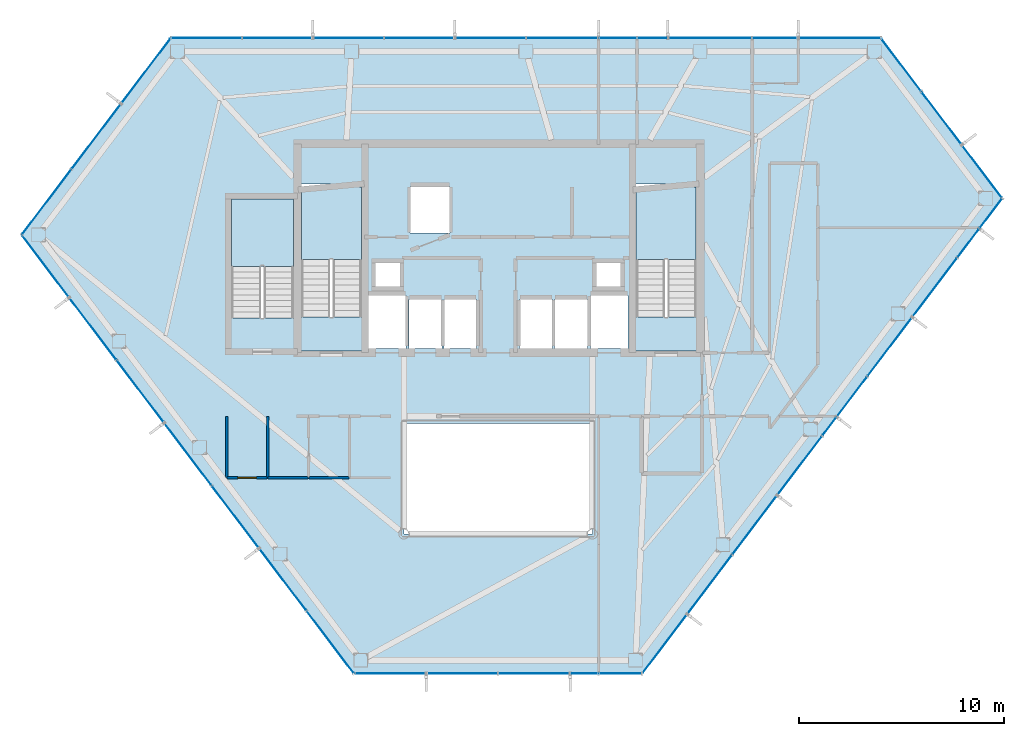
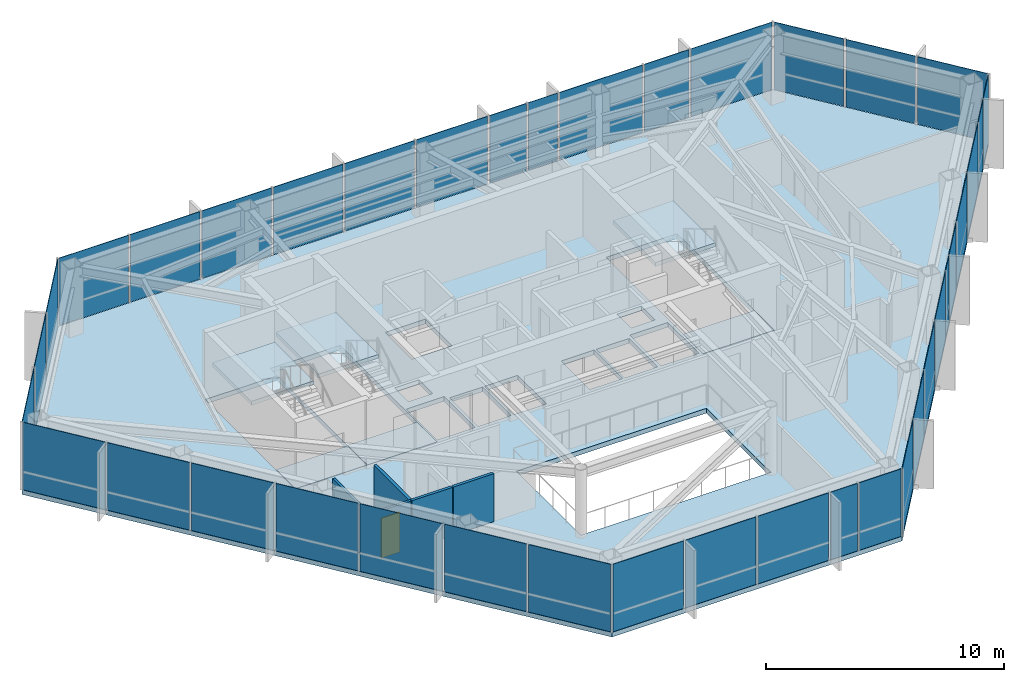
# One storey, part 24 of 28: 39 plates, 7 slabs, 5 walls, 1 door, 1 opening, 9 elements without a shape of their own.
"""IFC4 building model written with IfcOpenShell, lengths in metres."""

from ifc_helpers import new_model, si_unit, direction, frame, frame_2d, origin, origin_2d, place, context, subcontext, project, spatial, polyline, rectangle, outline, extrude, material, layer, layer_set, type_object, element, fill, aggregate, save


model = new_model("IFC4")

# Units and contexts
model_context = context("Model", 3, precision=1e-05, world=origin(), true_north=direction((0.0, 1.0)))
body_context = subcontext(model_context, "Body", "Model", "MODEL_VIEW")
ifc_project = project(units=[si_unit("LENGTHUNIT", "METRE"), si_unit("AREAUNIT", "SQUARE_METRE"), si_unit("VOLUMEUNIT", "CUBIC_METRE"), si_unit("PLANEANGLEUNIT", "RADIAN"), si_unit("MASSUNIT", "GRAM", prefix="KILO")], contexts=[model_context])

# Site, building, storey
site_placement = place(None, origin())
site = spatial("IfcSite", under=ifc_project, at=site_placement, CompositionType="ELEMENT")
building_placement = place(site_placement, origin())
building = spatial("IfcBuilding", under=site, at=building_placement, Name="Zarrinselat Tower", CompositionType="ELEMENT")
storey_placement = place(building_placement, frame((0.0, 0.0, 187.0)))
storey = spatial("IfcBuildingStorey", under=building, at=storey_placement, Name="L46", CompositionType="ELEMENT", Elevation=187.0)

# Curtain wall, plates
ifc_material_1 = material(Name="Extruded Aluminium Alloy EN AW-6063 T6", Category="aluminium")
ifc_layer_1 = layer(ifc_material_1, 0.175048828125)
ifc_layer_set_1 = layer_set([ifc_layer_1], Name="Extruded Aluminium Alloy EN AW-6063 T6")
curtain_wall_type = type_object("IfcCurtainWallType", Name="CWS-HTL", PredefinedType="NOTDEFINED", material=ifc_layer_set_1)
curtain_wall_1_placement = place(storey_placement, origin())
curtain_wall_1 = element("IfcCurtainWall", 1, at=curtain_wall_1_placement, inside=storey, type_object=curtain_wall_type, Name="L46 Unitised Curtain Wall CW-L46-E01", PredefinedType="NOTDEFINED")
ifc_material_2 = material(Name="Double Low-E Laminated Solar Glass", Category="glass")
ifc_layer_2 = layer(ifc_material_2, 0.028076171875)
ifc_layer_set_2 = layer_set([ifc_layer_2], Name="Double Low-E Laminated Solar Glass")
plate_type = type_object("IfcPlateType", Name="PLT-CW-GL28", PredefinedType="CURTAIN_PANEL", material=ifc_layer_set_2)
plate_1_placement = place(storey_placement, frame((55.06640625, 48.605712890625, 0.02001953125), z_axis=(0.0, 0.0, 1.0), x_axis=(-1.0, 0.0, 0.0)))
plate_1 = element("IfcPlate", 2, at=plate_1_placement, type_object=plate_type, Name="CW-L46-E01 Vision Glass Panel 1", PredefinedType="CURTAIN_PANEL", context=body_context, shape_type="SweptSolid", body=[
    extrude(rectangle(XDim=3.93310546875, YDim=0.028076171875, at=origin_2d()), origin(), (0.0, 0.0, 1.0), 3.4599609375),
])
plate_2_placement = place(storey_placement, frame((51.925048828125, 48.605712890625, 0.02001953125), z_axis=(0.0, 0.0, 1.0), x_axis=(-1.0, 0.0, 0.0)))
plate_2 = element("IfcPlate", 3, at=plate_2_placement, type_object=plate_type, Name="CW-L46-E01 Vision Glass Panel 2", PredefinedType="CURTAIN_PANEL", context=body_context, shape_type="SweptSolid", body=[
    extrude(rectangle(XDim=2.14990234375, YDim=0.028076171875, at=origin_2d()), origin(), (0.0, 0.0, 1.0), 3.4599609375),
])
plate_3_placement = place(storey_placement, frame((48.7421875, 48.605712890625, 0.02001953125), z_axis=(0.0, 0.0, 1.0), x_axis=(-1.0, 0.0, 0.0)))
plate_3 = element("IfcPlate", 4, at=plate_3_placement, type_object=plate_type, Name="CW-L46-E01 Vision Glass Panel 3", PredefinedType="CURTAIN_PANEL", context=body_context, shape_type="SweptSolid", body=[
    extrude(rectangle(XDim=4.015380859375, YDim=0.028076171875, at=origin_2d()), origin(), (0.0, 0.0, 1.0), 3.4599609375),
])
plate_4_placement = place(storey_placement, frame((45.9296875, 48.605712890625, 0.02001953125), z_axis=(0.0, 0.0, 1.0), x_axis=(-1.0, 0.0, 0.0)))
plate_4 = element("IfcPlate", 5, at=plate_4_placement, type_object=plate_type, Name="CW-L46-E01 Vision Glass Panel 4", PredefinedType="CURTAIN_PANEL", context=body_context, shape_type="SweptSolid", body=[
    extrude(rectangle(XDim=1.40966796875, YDim=0.028076171875, at=origin_2d()), origin(), (0.0, 0.0, 1.0), 3.4599609375),
])
plate_5_placement = place(storey_placement, frame((44.237548828125, 48.605712890625, 0.02001953125), z_axis=(0.0, 0.0, 1.0), x_axis=(-1.0, 0.0, 0.0)))
plate_5 = element("IfcPlate", 6, at=plate_5_placement, type_object=plate_type, Name="CW-L46-E01 Vision Glass Panel 5", PredefinedType="CURTAIN_PANEL", context=body_context, shape_type="SweptSolid", body=[
    extrude(rectangle(XDim=1.77490234375, YDim=0.028076171875, at=origin_2d()), origin(), (0.0, 0.0, 1.0), 3.4599609375),
])
plate_6_placement = place(storey_placement, frame((41.526123046875, 48.605712890625, 0.02001953125), z_axis=(0.0, 0.0, 1.0), x_axis=(-1.0, 0.0, 0.0)))
plate_6 = element("IfcPlate", 7, at=plate_6_placement, type_object=plate_type, Name="CW-L46-E01 Vision Glass Panel 6", PredefinedType="CURTAIN_PANEL", context=body_context, shape_type="SweptSolid", body=[
    extrude(rectangle(XDim=3.447509765625, YDim=0.028076171875, at=origin_2d()), origin(), (0.0, 0.0, 1.0), 3.4599609375),
])
plate_7_placement = place(storey_placement, frame((38.019287109375, 48.605712890625, 0.02001953125), z_axis=(0.0, 0.0, 1.0), x_axis=(-1.0, 0.0, 0.0)))
plate_7 = element("IfcPlate", 8, at=plate_7_placement, type_object=plate_type, Name="CW-L46-E01 Vision Glass Panel 7", PredefinedType="CURTAIN_PANEL", context=body_context, shape_type="SweptSolid", body=[
    extrude(rectangle(XDim=3.3662109375, YDim=0.028076171875, at=origin_2d()), origin(), (0.0, 0.0, 1.0), 3.4599609375),
])
plate_8_placement = place(storey_placement, frame((34.55322265625, 48.605712890625, 0.02001953125), z_axis=(0.0, 0.0, 1.0), x_axis=(-1.0, 0.0, 0.0)))
plate_8 = element("IfcPlate", 9, at=plate_8_placement, type_object=plate_type, Name="CW-L46-E01 Vision Glass Panel 8", PredefinedType="CURTAIN_PANEL", context=body_context, shape_type="SweptSolid", body=[
    extrude(rectangle(XDim=3.3662109375, YDim=0.028076171875, at=origin_2d()), origin(), (0.0, 0.0, 1.0), 3.4599609375),
])
plate_9_placement = place(storey_placement, frame((31.0869140625, 48.605712890625, 0.02001953125), z_axis=(0.0, 0.0, 1.0), x_axis=(-1.0, 0.0, 0.0)))
plate_9 = element("IfcPlate", 10, at=plate_9_placement, type_object=plate_type, Name="CW-L46-E01 Vision Glass Panel 9", PredefinedType="CURTAIN_PANEL", context=body_context, shape_type="SweptSolid", body=[
    extrude(rectangle(XDim=3.3662109375, YDim=0.028076171875, at=origin_2d()), origin(), (0.0, 0.0, 1.0), 3.4599609375),
])
plate_10_placement = place(storey_placement, frame((27.620849609375, 48.605712890625, 0.02001953125), z_axis=(0.0, 0.0, 1.0), x_axis=(-1.0, 0.0, 0.0)))
plate_10 = element("IfcPlate", 11, at=plate_10_placement, type_object=plate_type, Name="CW-L46-E01 Vision Glass Panel 10", PredefinedType="CURTAIN_PANEL", context=body_context, shape_type="SweptSolid", body=[
    extrude(rectangle(XDim=3.3662109375, YDim=0.028076171875, at=origin_2d()), origin(), (0.0, 0.0, 1.0), 3.4599609375),
])
plate_11_placement = place(storey_placement, frame((24.15478515625, 48.605712890625, 0.02001953125), z_axis=(0.0, 0.0, 1.0), x_axis=(-1.0, 0.0, 0.0)))
plate_11 = element("IfcPlate", 12, at=plate_11_placement, type_object=plate_type, Name="CW-L46-E01 Vision Glass Panel 11", PredefinedType="CURTAIN_PANEL", context=body_context, shape_type="SweptSolid", body=[
    extrude(rectangle(XDim=3.3662109375, YDim=0.028076171875, at=origin_2d()), origin(), (0.0, 0.0, 1.0), 3.4599609375),
])
aggregate(curtain_wall_1, [plate_1, plate_2, plate_3, plate_4, plate_5, plate_6, plate_7, plate_8, plate_9, plate_10, plate_11])

curtain_wall_2_placement = place(storey_placement, origin())
curtain_wall_2 = element("IfcCurtainWall", 13, at=curtain_wall_2_placement, inside=storey, type_object=curtain_wall_type, Name="L46 Unitised Curtain Wall CW-L46-E02", PredefinedType="NOTDEFINED")
plate_12_placement = place(storey_placement, frame((21.209228515625, 47.005126953125, 0.02001953125), z_axis=(0.0, 0.0, 1.0), x_axis=(-0.603853852413, -0.797095053884, 0.0)))
plate_12 = element("IfcPlate", 14, at=plate_12_placement, type_object=plate_type, Name="CW-L46-E02 Vision Glass Panel 1", PredefinedType="CURTAIN_PANEL", context=body_context, shape_type="SweptSolid", body=[
    extrude(rectangle(XDim=3.915771484375, YDim=0.028076171875, at=origin_2d()), origin(), (0.0, 0.0, 1.0), 3.4599609375),
])
plate_13_placement = place(storey_placement, frame((18.7841796875, 43.80419921875, 0.02001953125), z_axis=(0.0, 0.0, 1.0), x_axis=(-0.603853852413, -0.797095053884, 0.0)))
plate_13 = element("IfcPlate", 15, at=plate_13_placement, type_object=plate_type, Name="CW-L46-E02 Vision Glass Panel 2", PredefinedType="CURTAIN_PANEL", context=body_context, shape_type="SweptSolid", body=[
    extrude(rectangle(XDim=3.915771484375, YDim=0.028076171875, at=origin_2d()), origin(), (0.0, 0.0, 1.0), 3.4599609375),
])
plate_14_placement = place(storey_placement, frame((16.359375, 40.603271484375, 0.02001953125), z_axis=(0.0, 0.0, 1.0), x_axis=(-0.603853852413, -0.797095053884, 0.0)))
plate_14 = element("IfcPlate", 16, at=plate_14_placement, type_object=plate_type, Name="CW-L46-E02 Vision Glass Panel 3", PredefinedType="CURTAIN_PANEL", context=body_context, shape_type="SweptSolid", body=[
    extrude(rectangle(XDim=3.915771484375, YDim=0.028076171875, at=origin_2d()), origin(), (0.0, 0.0, 1.0), 3.4599609375),
])
aggregate(curtain_wall_2, [plate_12, plate_13, plate_14])

curtain_wall_3_placement = place(storey_placement, origin())
curtain_wall_3 = element("IfcCurtainWall", 17, at=curtain_wall_3_placement, inside=storey, type_object=curtain_wall_type, Name="L46 Unitised Curtain Wall CW-L46-E03", PredefinedType="NOTDEFINED")
plate_15_placement = place(storey_placement, frame((16.3056640625, 37.473388671875, 0.02001953125), z_axis=(0.0, 0.0, 1.0), x_axis=(0.603857114659, -0.7970925825, 0.0)))
plate_15 = element("IfcPlate", 18, at=plate_15_placement, type_object=plate_type, Name="CW-L46-E03 Vision Glass Panel 1", PredefinedType="CURTAIN_PANEL", context=body_context, shape_type="SweptSolid", body=[
    extrude(rectangle(XDim=3.73779296875, YDim=0.028076171875, at=origin_2d()), origin(), (0.0, 0.0, 1.0), 3.4599609375),
])
plate_16_placement = place(storey_placement, frame((18.623291015625, 34.414306640625, 0.02001953125), z_axis=(0.0, 0.0, 1.0), x_axis=(0.603857114659, -0.7970925825, 0.0)))
plate_16 = element("IfcPlate", 19, at=plate_16_placement, type_object=plate_type, Name="CW-L46-E03 Vision Glass Panel 2", PredefinedType="CURTAIN_PANEL", context=body_context, shape_type="SweptSolid", body=[
    extrude(rectangle(XDim=3.73779296875, YDim=0.028076171875, at=origin_2d()), origin(), (0.0, 0.0, 1.0), 3.4599609375),
])
plate_17_placement = place(storey_placement, frame((20.940673828125, 31.355224609375, 0.02001953125), z_axis=(0.0, 0.0, 1.0), x_axis=(0.603857114659, -0.7970925825, 0.0)))
plate_17 = element("IfcPlate", 20, at=plate_17_placement, type_object=plate_type, Name="CW-L46-E03 Vision Glass Panel 3", PredefinedType="CURTAIN_PANEL", context=body_context, shape_type="SweptSolid", body=[
    extrude(rectangle(XDim=3.73779296875, YDim=0.028076171875, at=origin_2d()), origin(), (0.0, 0.0, 1.0), 3.4599609375),
])
plate_18_placement = place(storey_placement, frame((23.25830078125, 28.296142578125, 0.02001953125), z_axis=(0.0, 0.0, 1.0), x_axis=(0.603857114659, -0.7970925825, 0.0)))
plate_18 = element("IfcPlate", 21, at=plate_18_placement, type_object=plate_type, Name="CW-L46-E03 Vision Glass Panel 4", PredefinedType="CURTAIN_PANEL", context=body_context, shape_type="SweptSolid", body=[
    extrude(rectangle(XDim=3.73779296875, YDim=0.028076171875, at=origin_2d()), origin(), (0.0, 0.0, 1.0), 3.4599609375),
])
plate_19_placement = place(storey_placement, frame((25.57568359375, 25.237060546875, 0.02001953125), z_axis=(0.0, 0.0, 1.0), x_axis=(0.603857114659, -0.7970925825, 0.0)))
plate_19 = element("IfcPlate", 22, at=plate_19_placement, type_object=plate_type, Name="CW-L46-E03 Vision Glass Panel 5", PredefinedType="CURTAIN_PANEL", context=body_context, shape_type="SweptSolid", body=[
    extrude(rectangle(XDim=3.73779296875, YDim=0.028076171875, at=origin_2d()), origin(), (0.0, 0.0, 1.0), 3.4599609375),
])
plate_20_placement = place(storey_placement, frame((27.893310546875, 22.177978515625, 0.02001953125), z_axis=(0.0, 0.0, 1.0), x_axis=(0.603857114659, -0.7970925825, 0.0)))
plate_20 = element("IfcPlate", 23, at=plate_20_placement, type_object=plate_type, Name="CW-L46-E03 Vision Glass Panel 6", PredefinedType="CURTAIN_PANEL", context=body_context, shape_type="SweptSolid", body=[
    extrude(rectangle(XDim=3.73779296875, YDim=0.028076171875, at=origin_2d()), origin(), (0.0, 0.0, 1.0), 3.4599609375),
])
plate_21_placement = place(storey_placement, frame((30.210693359375, 19.118896484375, 0.02001953125), z_axis=(0.0, 0.0, 1.0), x_axis=(0.603857114659, -0.7970925825, 0.0)))
plate_21 = element("IfcPlate", 24, at=plate_21_placement, type_object=plate_type, Name="CW-L46-E03 Vision Glass Panel 7", PredefinedType="CURTAIN_PANEL", context=body_context, shape_type="SweptSolid", body=[
    extrude(rectangle(XDim=3.73779296875, YDim=0.028076171875, at=origin_2d()), origin(), (0.0, 0.0, 1.0), 3.4599609375),
])
aggregate(curtain_wall_3, [plate_15, plate_16, plate_17, plate_18, plate_19, plate_20, plate_21])

curtain_wall_4_placement = place(storey_placement, origin())
curtain_wall_4 = element("IfcCurtainWall", 25, at=curtain_wall_4_placement, inside=storey, type_object=curtain_wall_type, Name="L46 Unitised Curtain Wall CW-L46-E04", PredefinedType="NOTDEFINED")
plate_22_placement = place(storey_placement, frame((33.126953125, 17.58935546875, 0.02001953125), z_axis=(0.0, 0.0, 1.0), x_axis=(1.0, 0.0, 0.0)))
plate_22 = element("IfcPlate", 26, at=plate_22_placement, type_object=plate_type, Name="CW-L46-E04 Vision Glass Panel 1", PredefinedType="CURTAIN_PANEL", context=body_context, shape_type="SweptSolid", body=[
    extrude(rectangle(XDim=3.415283203125, YDim=0.028076171875, at=origin_2d()), origin(), (0.0, 0.0, 1.0), 3.4599609375),
])
plate_23_placement = place(storey_placement, frame((36.642333984375, 17.58935546875, 0.02001953125), z_axis=(0.0, 0.0, 1.0), x_axis=(1.0, 0.0, 0.0)))
plate_23 = element("IfcPlate", 27, at=plate_23_placement, type_object=plate_type, Name="CW-L46-E04 Vision Glass Panel 2", PredefinedType="CURTAIN_PANEL", context=body_context, shape_type="SweptSolid", body=[
    extrude(rectangle(XDim=3.415283203125, YDim=0.028076171875, at=origin_2d()), origin(), (0.0, 0.0, 1.0), 3.4599609375),
])
plate_24_placement = place(storey_placement, frame((40.15771484375, 17.58935546875, 0.02001953125), z_axis=(0.0, 0.0, 1.0), x_axis=(1.0, 0.0, 0.0)))
plate_24 = element("IfcPlate", 28, at=plate_24_placement, type_object=plate_type, Name="CW-L46-E04 Vision Glass Panel 3", PredefinedType="CURTAIN_PANEL", context=body_context, shape_type="SweptSolid", body=[
    extrude(rectangle(XDim=3.415283203125, YDim=0.028076171875, at=origin_2d()), origin(), (0.0, 0.0, 1.0), 3.4599609375),
])
plate_25_placement = place(storey_placement, frame((42.607666015625, 17.58935546875, 0.02001953125), z_axis=(0.0, 0.0, 1.0), x_axis=(1.0, 0.0, 0.0)))
plate_25 = element("IfcPlate", 29, at=plate_25_placement, type_object=plate_type, Name="CW-L46-E04 Vision Glass Panel 4", PredefinedType="CURTAIN_PANEL", context=body_context, shape_type="SweptSolid", body=[
    extrude(rectangle(XDim=1.28466796875, YDim=0.028076171875, at=origin_2d()), origin(), (0.0, 0.0, 1.0), 3.4599609375),
])
plate_26_placement = place(storey_placement, frame((44.365234375, 17.58935546875, 0.02001953125), z_axis=(0.0, 0.0, 1.0), x_axis=(1.0, 0.0, 0.0)))
plate_26 = element("IfcPlate", 30, at=plate_26_placement, type_object=plate_type, Name="CW-L46-E04 Vision Glass Panel 5", PredefinedType="CURTAIN_PANEL", context=body_context, shape_type="SweptSolid", body=[
    extrude(rectangle(XDim=2.030517578125, YDim=0.028076171875, at=origin_2d()), origin(), (0.0, 0.0, 1.0), 3.4599609375),
])
aggregate(curtain_wall_4, [plate_22, plate_23, plate_24, plate_25, plate_26])

curtain_wall_5_placement = place(storey_placement, origin())
curtain_wall_5 = element("IfcCurtainWall", 31, at=curtain_wall_5_placement, inside=storey, type_object=curtain_wall_type, Name="L46 Unitised Curtain Wall CW-L46-E05", PredefinedType="NOTDEFINED")
plate_27_placement = place(storey_placement, frame((46.529052734375, 19.039306640625, 0.02001953125), z_axis=(0.0, 0.0, 1.0), x_axis=(0.603856629551, 0.797092950005, 0.0)))
plate_27 = element("IfcPlate", 32, at=plate_27_placement, type_object=plate_type, Name="CW-L46-E05 Vision Glass Panel 1", PredefinedType="CURTAIN_PANEL", context=body_context, shape_type="SweptSolid", body=[
    extrude(rectangle(XDim=3.5380859375, YDim=0.028076171875, at=origin_2d()), origin(), (0.0, 0.0, 1.0), 3.4599609375),
])
plate_28_placement = place(storey_placement, frame((48.725830078125, 21.939208984375, 0.02001953125), z_axis=(0.0, 0.0, 1.0), x_axis=(0.603856629551, 0.797092950005, 0.0)))
plate_28 = element("IfcPlate", 33, at=plate_28_placement, type_object=plate_type, Name="CW-L46-E05 Vision Glass Panel 2", PredefinedType="CURTAIN_PANEL", context=body_context, shape_type="SweptSolid", body=[
    extrude(rectangle(XDim=3.5380859375, YDim=0.028076171875, at=origin_2d()), origin(), (0.0, 0.0, 1.0), 3.4599609375),
])
plate_29_placement = place(storey_placement, frame((50.922607421875, 24.8388671875, 0.02001953125), z_axis=(0.0, 0.0, 1.0), x_axis=(0.603856629551, 0.797092950005, 0.0)))
plate_29 = element("IfcPlate", 34, at=plate_29_placement, type_object=plate_type, Name="CW-L46-E05 Vision Glass Panel 3", PredefinedType="CURTAIN_PANEL", context=body_context, shape_type="SweptSolid", body=[
    extrude(rectangle(XDim=3.5380859375, YDim=0.028076171875, at=origin_2d()), origin(), (0.0, 0.0, 1.0), 3.4599609375),
])
plate_30_placement = place(storey_placement, frame((53.11962890625, 27.73876953125, 0.02001953125), z_axis=(0.0, 0.0, 1.0), x_axis=(0.603856629551, 0.797092950005, 0.0)))
plate_30 = element("IfcPlate", 35, at=plate_30_placement, type_object=plate_type, Name="CW-L46-E05 Vision Glass Panel 4", PredefinedType="CURTAIN_PANEL", context=body_context, shape_type="SweptSolid", body=[
    extrude(rectangle(XDim=3.5380859375, YDim=0.028076171875, at=origin_2d()), origin(), (0.0, 0.0, 1.0), 3.4599609375),
])
plate_31_placement = place(storey_placement, frame((54.568359375, 29.651123046875, 0.02001953125), z_axis=(0.0, 0.0, 1.0), x_axis=(0.603856629551, 0.797092950005, 0.0)))
plate_31 = element("IfcPlate", 36, at=plate_31_placement, type_object=plate_type, Name="CW-L46-E05 Vision Glass Panel 5", PredefinedType="CURTAIN_PANEL", context=body_context, shape_type="SweptSolid", body=[
    extrude(rectangle(XDim=1.060546875, YDim=0.028076171875, at=origin_2d()), origin(), (0.0, 0.0, 1.0), 3.4599609375),
])
plate_32_placement = place(storey_placement, frame((55.666748046875, 31.101318359375, 0.02001953125), z_axis=(0.0, 0.0, 1.0), x_axis=(0.603856629551, 0.797092950005, 0.0)))
plate_32 = element("IfcPlate", 37, at=plate_32_placement, type_object=plate_type, Name="CW-L46-E05 Vision Glass Panel 6", PredefinedType="CURTAIN_PANEL", context=body_context, shape_type="SweptSolid", body=[
    extrude(rectangle(XDim=2.37744140625, YDim=0.028076171875, at=origin_2d()), origin(), (0.0, 0.0, 1.0), 3.4599609375),
])
plate_33_placement = place(storey_placement, frame((57.51318359375, 33.53857421875, 0.02001953125), z_axis=(0.0, 0.0, 1.0), x_axis=(0.603856629551, 0.797092950005, 0.0)))
plate_33 = element("IfcPlate", 38, at=plate_33_placement, type_object=plate_type, Name="CW-L46-E05 Vision Glass Panel 7", PredefinedType="CURTAIN_PANEL", context=body_context, shape_type="SweptSolid", body=[
    extrude(rectangle(XDim=3.5380859375, YDim=0.028076171875, at=origin_2d()), origin(), (0.0, 0.0, 1.0), 3.4599609375),
])
plate_34_placement = place(storey_placement, frame((59.710205078125, 36.438232421875, 0.02001953125), z_axis=(0.0, 0.0, 1.0), x_axis=(0.603856629551, 0.797092950005, 0.0)))
plate_34 = element("IfcPlate", 39, at=plate_34_placement, type_object=plate_type, Name="CW-L46-E05 Vision Glass Panel 8", PredefinedType="CURTAIN_PANEL", context=body_context, shape_type="SweptSolid", body=[
    extrude(rectangle(XDim=3.5380859375, YDim=0.028076171875, at=origin_2d()), origin(), (0.0, 0.0, 1.0), 3.4599609375),
])
plate_35_placement = place(storey_placement, frame((61.34765625, 38.599853515625, 0.02001953125), z_axis=(0.0, 0.0, 1.0), x_axis=(0.603856629551, 0.797092950005, 0.0)))
plate_35 = element("IfcPlate", 40, at=plate_35_placement, type_object=plate_type, Name="CW-L46-E05 Vision Glass Panel 9", PredefinedType="CURTAIN_PANEL", context=body_context, shape_type="SweptSolid", body=[
    extrude(rectangle(XDim=1.685546875, YDim=0.028076171875, at=origin_2d()), origin(), (0.0, 0.0, 1.0), 3.4599609375),
])
plate_36_placement = place(storey_placement, frame((62.446044921875, 40.0498046875, 0.02001953125), z_axis=(0.0, 0.0, 1.0), x_axis=(0.603856629551, 0.797092950005, 0.0)))
plate_36 = element("IfcPlate", 41, at=plate_36_placement, type_object=plate_type, Name="CW-L46-E05 Vision Glass Panel 10", PredefinedType="CURTAIN_PANEL", context=body_context, shape_type="SweptSolid", body=[
    extrude(rectangle(XDim=1.75244140625, YDim=0.028076171875, at=origin_2d()), origin(), (0.0, 0.0, 1.0), 3.4599609375),
])
aggregate(curtain_wall_5, [plate_27, plate_28, plate_29, plate_30, plate_31, plate_32, plate_33, plate_34, plate_35, plate_36])

curtain_wall_6_placement = place(storey_placement, origin())
curtain_wall_6 = element("IfcCurtainWall", 42, at=curtain_wall_6_placement, inside=storey, type_object=curtain_wall_type, Name="L46 Unitised Curtain Wall CW-L46-E06", PredefinedType="NOTDEFINED")
plate_37_placement = place(storey_placement, frame((62.018310546875, 42.091064453125, 0.02001953125), z_axis=(0.0, 0.0, 1.0), x_axis=(-0.603861025256, 0.797089619916, 0.0)))
plate_37 = element("IfcPlate", 43, at=plate_37_placement, type_object=plate_type, Name="CW-L46-E06 Vision Glass Panel 1", PredefinedType="CURTAIN_PANEL", context=body_context, shape_type="SweptSolid", body=[
    extrude(rectangle(XDim=3.169189453125, YDim=0.028076171875, at=origin_2d()), origin(), (0.0, 0.0, 1.0), 3.4599609375),
])
plate_38_placement = place(storey_placement, frame((60.044189453125, 44.69677734375, 0.02001953125), z_axis=(0.0, 0.0, 1.0), x_axis=(-0.603861025256, 0.797089619916, 0.0)))
plate_38 = element("IfcPlate", 44, at=plate_38_placement, type_object=plate_type, Name="CW-L46-E06 Vision Glass Panel 2", PredefinedType="CURTAIN_PANEL", context=body_context, shape_type="SweptSolid", body=[
    extrude(rectangle(XDim=3.169189453125, YDim=0.028076171875, at=origin_2d()), origin(), (0.0, 0.0, 1.0), 3.4599609375),
])
plate_39_placement = place(storey_placement, frame((58.070068359375, 47.302734375, 0.02001953125), z_axis=(0.0, 0.0, 1.0), x_axis=(-0.603861025256, 0.797089619916, 0.0)))
plate_39 = element("IfcPlate", 45, at=plate_39_placement, type_object=plate_type, Name="CW-L46-E06 Vision Glass Panel 3", PredefinedType="CURTAIN_PANEL", context=body_context, shape_type="SweptSolid", body=[
    extrude(rectangle(XDim=3.169189453125, YDim=0.028076171875, at=origin_2d()), origin(), (0.0, 0.0, 1.0), 3.4599609375),
])
aggregate(curtain_wall_6, [plate_37, plate_38, plate_39])

# Slabs
ifc_material_3 = material(Name="Concrete C40/50", Category="concrete")
ifc_layer_3 = layer(ifc_material_3, 0.239990234375)
ifc_layer_set_3 = layer_set([ifc_layer_3], Name="Concrete C40/50")
slab_type_1 = type_object("IfcSlabType", Name="SLB-FLOOR-240-SL-HT240", PredefinedType="FLOOR", material=ifc_layer_set_3)
slab_1_placement = place(storey_placement, frame((0.0, 0.0, -0.239990234375)))
element("IfcSlab", 46, at=slab_1_placement, inside=storey, type_object=slab_type_1, Name="L46 Primary Structural Slab", PredefinedType="FLOOR", context=body_context, shape_type="SweptSolid", body=[
    extrude(outline(polyline([(57.0830078125, 48.605712890625), (22.421630859375, 48.605712890625), (15.14697265625, 39.0029296875), (31.369384765625, 17.58935546875), (45.4306640625, 17.58935546875), (63.00537109375, 40.7880859375), (57.0830078125, 48.605712890625)]), holes=[polyline([(35.64990234375, 33.449951171875), (34.050048828125, 33.449951171875), (34.050048828125, 35.85009765625), (35.64990234375, 35.85009765625), (35.64990234375, 33.449951171875)]), polyline([(35.75, 33.449951171875), (35.75, 35.85009765625), (37.35009765625, 35.85009765625), (37.35009765625, 33.449951171875), (35.75, 33.449951171875)]), polyline([(32.06005859375, 33.449951171875), (32.06005859375, 36.050048828125), (33.89990234375, 36.050048828125), (33.89990234375, 33.449951171875), (32.06005859375, 33.449951171875)]), polyline([(33.60009765625, 36.47998046875), (32.419921875, 36.47998046875), (32.419921875, 37.639892578125), (33.60009765625, 37.639892578125), (33.60009765625, 36.47998046875)]), polyline([(28.594970703125, 33.324951171875), (25.114990234375, 33.324951171875), (25.114990234375, 40.875), (28.594970703125, 40.875), (28.594970703125, 33.324951171875)]), polyline([(31.985107421875, 33.324951171875), (28.60498046875, 33.324951171875), (28.60498046875, 41.47509765625), (31.985107421875, 41.47509765625), (31.985107421875, 33.324951171875)]), polyline([(36.050048828125, 39.10009765625), (34.10009765625, 39.10009765625), (34.10009765625, 41.35009765625), (36.050048828125, 41.35009765625), (36.050048828125, 39.10009765625)]), polyline([(33.800048828125, 24.39990234375), (33.800048828125, 29.800048828125), (43.0, 29.800048828125), (43.0, 24.39990234375), (33.800048828125, 24.39990234375)]), polyline([(39.449951171875, 33.449951171875), (39.449951171875, 35.85009765625), (41.050048828125, 35.85009765625), (41.050048828125, 33.449951171875), (39.449951171875, 33.449951171875)]), polyline([(41.14990234375, 33.449951171875), (41.14990234375, 35.85009765625), (42.75, 35.85009765625), (42.75, 33.449951171875), (41.14990234375, 33.449951171875)]), polyline([(42.89990234375, 33.449951171875), (42.89990234375, 36.050048828125), (44.739990234375, 36.050048828125), (44.739990234375, 33.449951171875), (42.89990234375, 33.449951171875)]), polyline([(43.199951171875, 36.47998046875), (43.199951171875, 37.639892578125), (44.3798828125, 37.639892578125), (44.3798828125, 36.47998046875), (43.199951171875, 36.47998046875)]), polyline([(48.324951171875, 33.324951171875), (44.875, 33.324951171875), (44.875, 41.47509765625), (48.324951171875, 41.47509765625), (48.324951171875, 33.324951171875)])]), origin(), (0.0, 0.0, 1.0), 0.239990234375),
])
slab_2_placement = place(storey_placement, frame((0.0, 0.0, -0.239990234375)))
element("IfcSlab", 47, at=slab_2_placement, inside=storey, type_object=slab_type_1, Name="L46 Stair ST-1-FL1 Structural Floor Landing", PredefinedType="FLOOR", context=body_context, shape_type="SweptSolid", body=[
    extrude(outline(polyline([(31.97998046875, 33.330078125), (31.97998046875, 35.0), (28.610107421875, 35.0), (28.610107421875, 33.330078125), (31.97998046875, 33.330078125)])), origin(), (0.0, 0.0, 1.0), 0.239990234375),
])
slab_3_placement = place(storey_placement, frame((0.0, 0.0, -0.239990234375)))
element("IfcSlab", 48, at=slab_3_placement, inside=storey, type_object=slab_type_1, Name="L46 Stair ST-2-FL1 Structural Floor Landing", PredefinedType="FLOOR", context=body_context, shape_type="SweptSolid", body=[
    extrude(outline(polyline([(48.320068359375, 33.330078125), (48.320068359375, 35.0), (44.8798828125, 35.0), (44.8798828125, 33.330078125), (48.320068359375, 33.330078125)])), origin(), (0.0, 0.0, 1.0), 0.239990234375),
])
slab_4_placement = place(storey_placement, frame((0.0, 0.0, -0.239990234375)))
element("IfcSlab", 49, at=slab_4_placement, inside=storey, type_object=slab_type_1, Name="L46 Stair ST-3-FL1 Structural Floor Landing", PredefinedType="FLOOR", context=body_context, shape_type="SweptSolid", body=[
    extrude(outline(polyline([(28.590087890625, 33.330078125), (28.590087890625, 34.949951171875), (25.1201171875, 34.949951171875), (25.1201171875, 33.330078125), (28.590087890625, 33.330078125)])), origin(), (0.0, 0.0, 1.0), 0.239990234375),
])

# Stair, slab
ifc_material_4 = material(Name="Concrete C40/50", Category="concrete")
stair_type_1 = type_object("IfcStairType", Name="STR-CORE-145", PredefinedType="HALF_TURN_STAIR", material=ifc_material_4)
stair_1_placement = place(storey_placement, origin())
stair_1 = element("IfcStair", 50, at=stair_1_placement, inside=storey, type_object=stair_type_1, Name="L46 Podium & Mid-Tower Exit Stair 3", PredefinedType="HALF_TURN_STAIR")
ifc_material_5 = material(Name="Concrete C40/50", Category="concrete")
ifc_layer_4 = layer(ifc_material_5, 0.1650390625)
ifc_layer_set_4 = layer_set([ifc_layer_4], Name="Concrete C40/50")
slab_type_2 = type_object("IfcSlabType", Name="SLB-LND-165", PredefinedType="LANDING", material=ifc_layer_set_4)
slab_5_placement = place(storey_placement, frame((0.0, 0.0, 1.669921875)))
slab_5 = element("IfcSlab", 51, at=slab_5_placement, type_object=slab_type_2, Name="ST-3 landing 1", PredefinedType="LANDING", context=body_context, shape_type="SweptSolid", body=[
    extrude(outline(polyline([(28.39990234375, 37.469970703125), (28.39990234375, 40.75), (25.3798828125, 40.75), (25.3798828125, 37.469970703125), (28.39990234375, 37.469970703125)])), origin(), (0.0, 0.0, 1.0), 0.2001953125),
])
aggregate(stair_1, [slab_5])

ifc_material_6 = material(Name="Concrete C40/50", Category="concrete")
stair_type_2 = type_object("IfcStairType", Name="STR-CORE-155", PredefinedType="HALF_TURN_STAIR", material=ifc_material_6)
stair_2_placement = place(storey_placement, origin())
stair_2 = element("IfcStair", 52, at=stair_2_placement, inside=storey, type_object=stair_type_2, Name="L46 Core Exit Stair 1", PredefinedType="HALF_TURN_STAIR")
ifc_material_7 = material(Name="Concrete C40/50", Category="concrete")
ifc_layer_5 = layer(ifc_material_7, 0.18994140625)
ifc_layer_set_5 = layer_set([ifc_layer_5], Name="Concrete C40/50")
slab_type_3 = type_object("IfcSlabType", Name="SLB-LND-190", PredefinedType="LANDING", material=ifc_layer_set_5)
slab_6_placement = place(storey_placement, frame((0.0, 0.0, 1.669921875)))
slab_6 = element("IfcSlab", 53, at=slab_6_placement, type_object=slab_type_3, Name="ST-1 landing 1", PredefinedType="LANDING", context=body_context, shape_type="SweptSolid", body=[
    extrude(outline(polyline([(31.719970703125, 37.7900390625), (31.719970703125, 41.35009765625), (28.800048828125, 41.35009765625), (28.800048828125, 37.7900390625), (31.719970703125, 37.7900390625)])), origin(), (0.0, 0.0, 1.0), 0.2001953125),
])
aggregate(stair_2, [slab_6])

stair_3_placement = place(storey_placement, origin())
stair_3 = element("IfcStair", 54, at=stair_3_placement, inside=storey, type_object=stair_type_2, Name="L46 Core Exit Stair 2", PredefinedType="HALF_TURN_STAIR")
slab_7_placement = place(storey_placement, frame((0.0, 0.0, 1.669921875)))
slab_7 = element("IfcSlab", 55, at=slab_7_placement, type_object=slab_type_3, Name="ST-2 landing 1", PredefinedType="LANDING", context=body_context, shape_type="SweptSolid", body=[
    extrude(outline(polyline([(48.06005859375, 37.7900390625), (48.06005859375, 41.35009765625), (45.139892578125, 41.35009765625), (45.139892578125, 37.7900390625), (48.06005859375, 37.7900390625)])), origin(), (0.0, 0.0, 1.0), 0.2001953125),
])
aggregate(stair_3, [slab_7])

# Wall, opening, door
ifc_material_8 = material(Name="Fire-Rated Gypsum Board Partition", Category="gypsum")
ifc_layer_6 = layer(ifc_material_8, 0.1201171875)
ifc_layer_set_6 = layer_set([ifc_layer_6], Name="Fire-Rated Gypsum Board Partition")
wall_type_1 = type_object("IfcWallType", Name="WAL-PART-STD", PredefinedType="PARTITIONING", material=ifc_layer_set_6)
wall_1_placement = place(storey_placement, frame((25.169921875, 27.14990234375, 0.0), z_axis=(0.0, 0.0, 1.0), x_axis=(1.0, 0.0, 0.0)))
wall_1 = element("IfcWall", 56, at=wall_1_placement, inside=storey, type_object=wall_type_1, Name="L46 Partition Wall 34", PredefinedType="PARTITIONING", context=body_context, shape_type="SweptSolid", body=[
    extrude(rectangle(XDim=1.9599609375, YDim=0.1201171875, at=frame_2d((0.97998046875, 0.0))), origin(), (0.0, 0.0, 1.0), 2.45703125),
])
opening_placement = place(wall_1_placement, frame((0.530029296875, 0.0, 0.0)))
opening = element("IfcOpeningElement", 57, at=opening_placement, cuts=wall_1, Name="Opening ID-05", PredefinedType="OPENING", context=body_context, shape_type="SweptSolid", body=[
    extrude(rectangle(XDim=0.89990234375, YDim=2.050048828125, at=frame_2d((0.449951171875, 1.02490234375))), frame((0.0, 0.070068359375, 0.0), z_axis=(0.0, -1.0, 0.0), x_axis=(1.0, 0.0, 0.0)), (0.0, 0.0, 1.0), 0.14013671875),
])
ifc_material_9 = material(Name="Extruded Aluminium Alloy EN AW-6063 T6", Category="aluminium")
door_type = type_object("IfcDoorType", Name="DR-INT-STD-920", OperationType="NOTDEFINED", PredefinedType="DOOR", material=ifc_material_9)
door_placement = place(opening_placement, origin())
door = element("IfcDoor", 58, at=door_placement, inside=storey, type_object=door_type, Name="L46 Interior Door P34", OperationType="SINGLE_SWING_LEFT", OverallHeight=2.050048828125, OverallWidth=0.89990234375, PredefinedType="DOOR", context=body_context, shape_type="SweptSolid", body=[
    extrude(rectangle(XDim=0.89990234375, YDim=2.050048828125, at=frame_2d((0.449951171875, 1.02490234375))), frame((0.0, 0.02490234375, 0.0), z_axis=(0.0, -1.0, 0.0), x_axis=(1.0, 0.0, 0.0)), (0.0, 0.0, 1.0), 0.050048828125),
])
fill(opening, door)

# Walls
wall_2_placement = place(storey_placement, frame((25.14990234375, 27.169921875, 0.0), z_axis=(0.0, 0.0, 1.0), x_axis=(0.0, 1.0, 0.0)))
element("IfcWall", 59, at=wall_2_placement, inside=storey, type_object=wall_type_1, Name="L46 Partition Wall 35", PredefinedType="PARTITIONING", context=body_context, shape_type="SweptSolid", body=[
    extrude(rectangle(XDim=2.97998046875, YDim=0.1201171875, at=frame_2d((1.489990234375, 0.0))), origin(), (0.0, 0.0, 1.0), 2.45703125),
])
ifc_material_10 = material(Name="Fire-Rated Gypsum Board Partition", Category="gypsum")
ifc_layer_7 = layer(ifc_material_10, 0.135009765625)
ifc_layer_set_7 = layer_set([ifc_layer_7], Name="Fire-Rated Gypsum Board Partition")
wall_type_2 = type_object("IfcWallType", Name="WAL-PART-WET", PredefinedType="PARTITIONING", material=ifc_layer_set_7)
wall_3_placement = place(storey_placement, frame((27.14990234375, 27.169921875, 0.0), z_axis=(0.0, 0.0, 1.0), x_axis=(0.0, 1.0, 0.0)))
element("IfcWall", 60, at=wall_3_placement, inside=storey, type_object=wall_type_2, Name="L46 Partition Wall 33", PredefinedType="PARTITIONING", context=body_context, shape_type="SweptSolid", body=[
    extrude(rectangle(XDim=2.97998046875, YDim=0.135009765625, at=frame_2d((1.489990234375, 0.0))), origin(), (0.0, 0.0, 1.0), 2.45703125),
])
for number, where, z_axis, x_axis, name in (
    (61, (27.169921875, 27.14990234375, 0.0), (0.0, 0.0, 1.0), (1.0, 0.0, 0.0), "L46 Partition Wall 37"),
    (62, (29.169921875, 27.14990234375, 0.0), (0.0, 0.0, 1.0), (1.0, 0.0, 0.0), "L46 Partition Wall 39"),
):
    element("IfcWall", number, at=place(storey_placement, frame(where, z_axis=z_axis, x_axis=x_axis)), inside=storey, type_object=wall_type_2, Name=name, PredefinedType="PARTITIONING", context=body_context, shape_type="SweptSolid", body=[
        extrude(rectangle(XDim=1.9599609375, YDim=0.135009765625, at=frame_2d((0.97998046875, 0.0))), origin(), (0.0, 0.0, 1.0), 2.45703125),
    ])

save(model, "model.ifc")
